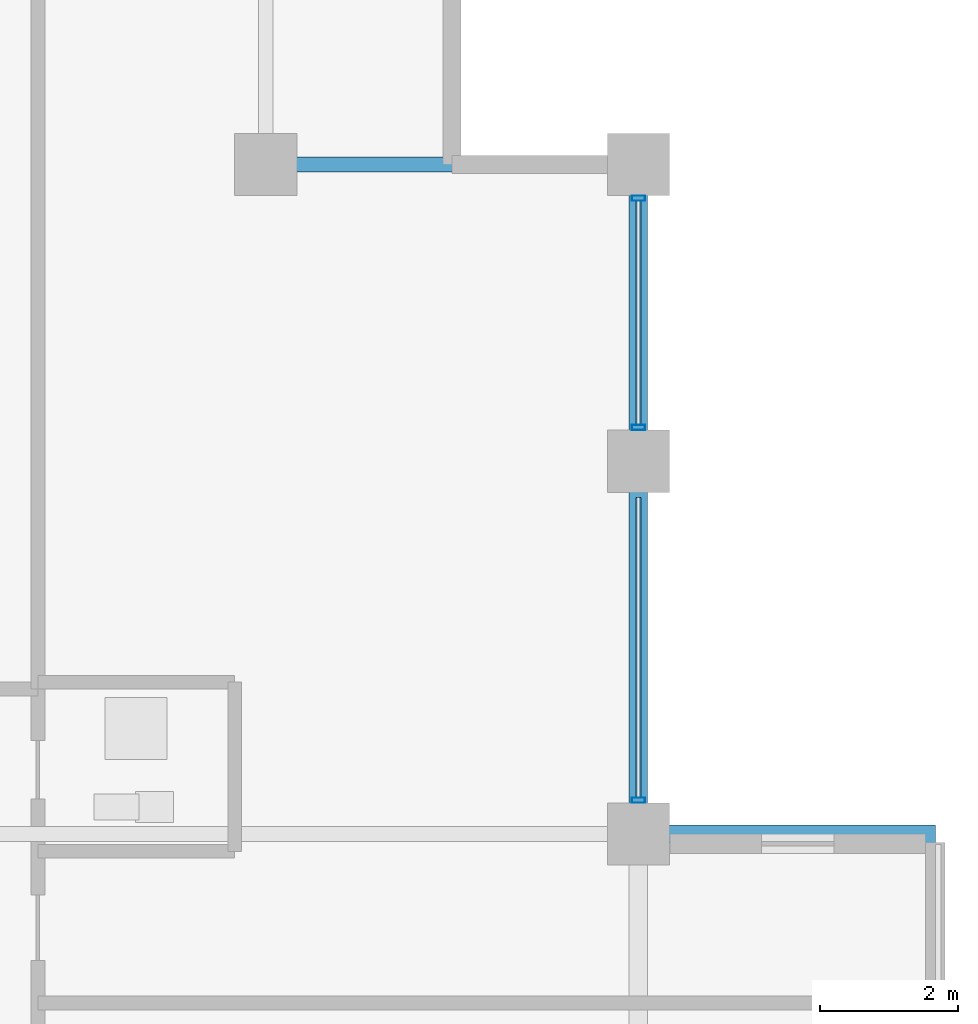
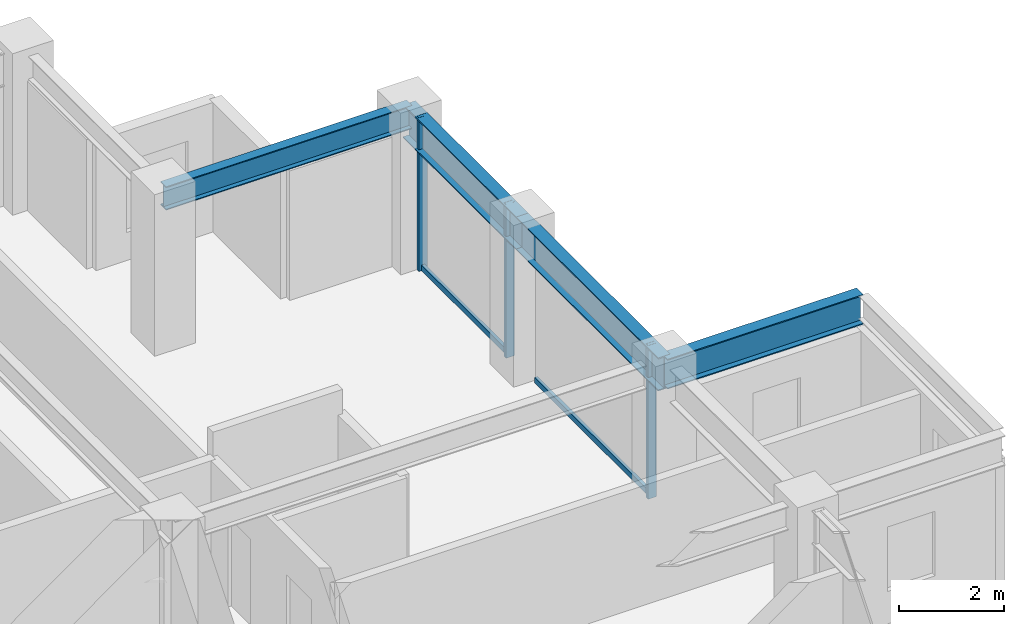
# One storey, part 20 of 28: 5 members, 4 beams, 1 element without a shape of its own.
"""IFC4 building model written with IfcOpenShell, lengths in metres."""

from ifc_helpers import new_model, si_unit, direction, frame, origin, origin_2d, place, context, subcontext, project, spatial, hollow_rectangle, i_section, extrude, material, layer, layer_set, material_profile, profile_set, type_object, element, aggregate, save


model = new_model("IFC4")

# Units and contexts
model_context = context("Model", 3, precision=1e-05, world=origin(), true_north=direction((0.0, 1.0)))
body_context = subcontext(model_context, "Body", "Model", "MODEL_VIEW")
ifc_project = project(units=[si_unit("LENGTHUNIT", "METRE"), si_unit("AREAUNIT", "SQUARE_METRE"), si_unit("VOLUMEUNIT", "CUBIC_METRE"), si_unit("PLANEANGLEUNIT", "RADIAN"), si_unit("MASSUNIT", "GRAM", prefix="KILO")], contexts=[model_context])

# Site, building, storey
site_placement = place(None, origin())
site = spatial("IfcSite", under=ifc_project, at=site_placement, CompositionType="ELEMENT")
building_placement = place(site_placement, origin())
building = spatial("IfcBuilding", under=site, at=building_placement, Name="Surkhivell Harbour Commons", CompositionType="ELEMENT")
storey_placement = place(building_placement, frame((0.0, 0.0, 174.75)))
storey = spatial("IfcBuildingStorey", under=building, at=storey_placement, Name="L45", CompositionType="ELEMENT", Elevation=174.75)

# Beams
ifc_material_1 = material(Name="Steel S460", Category="steel")
ifc_material_profile_1 = material_profile(ifc_material_1, i_section(OverallWidth=0.256103515625, OverallDepth=0.693115234375, WebThickness=0.014404296875, FlangeThickness=0.023681640625, at=origin_2d()), Name="UB686x254x170")
ifc_profile_set_1 = profile_set([ifc_material_profile_1], Name="Steel S460")
beam_type_1 = type_object("IfcBeamType", Name="BM-CNT-686", PredefinedType="BEAM", material=ifc_profile_set_1)
beam_1_placement = place(storey_placement, frame((21.60009765625, 10.800048828125, 3.223388671875), z_axis=(1.0, 0.0, 0.0), x_axis=(0.0, 1.0, 0.0)))
element("IfcBeam", 1, at=beam_1_placement, inside=storey, type_object=beam_type_1, Name="L45 Box Cantilever Outrigger (21.6,10.8)", PredefinedType="BEAM", context=body_context, shape_type="SweptSolid", body=[
    extrude(i_section(OverallWidth=0.256103515625, OverallDepth=0.693115234375, WebThickness=0.014404296875, FlangeThickness=0.023681640625, at=origin_2d()), origin(), (0.0, 0.0, 1.0), 4.2998046875),
])
ifc_material_2 = material(Name="Steel S355", Category="steel")
ifc_material_profile_2 = material_profile(ifc_material_2, i_section(OverallWidth=0.2119140625, OverallDepth=0.5439453125, WebThickness=0.0126953125, FlangeThickness=0.021240234375, at=origin_2d()), Name="UB533x210x122")
ifc_profile_set_2 = profile_set([ifc_material_profile_2], Name="Steel S355")
beam_type_2 = type_object("IfcBeamType", Name="BM-GRD-533A", PredefinedType="BEAM", material=ifc_profile_set_2)
beam_2_placement = place(storey_placement, frame((16.199951171875, 20.5, 3.298095703125), z_axis=(1.0, 0.0, 0.0), x_axis=(0.0, 1.0, 0.0)))
element("IfcBeam", 2, at=beam_2_placement, inside=storey, type_object=beam_type_2, Name="L45 Floor Girder (16.2,20.5)", PredefinedType="BEAM", context=body_context, shape_type="SweptSolid", body=[
    extrude(i_section(OverallWidth=0.2119140625, OverallDepth=0.5439453125, WebThickness=0.0126953125, FlangeThickness=0.021240234375, at=origin_2d()), origin(), (0.0, 0.0, 1.0), 5.400146484375),
])
ifc_material_profile_3 = material_profile(ifc_material_2, i_section(OverallWidth=0.26806640625, OverallDepth=0.77001953125, WebThickness=0.015625, FlangeThickness=0.025390625, at=origin_2d()), Name="UB762x267x197")
ifc_profile_set_3 = profile_set([ifc_material_profile_3], Name="Steel S355")
beam_type_3 = type_object("IfcBeamType", Name="BM-SPN-762", PredefinedType="SPANDREL", material=ifc_profile_set_3)
beam_3_placement = place(storey_placement, frame((21.60009765625, 10.800048828125, 3.18505859375), z_axis=(0.0, 1.0, 0.0), x_axis=(-1.0, 0.0, 0.0)))
element("IfcBeam", 3, at=beam_3_placement, inside=storey, type_object=beam_type_3, Name="L45 Tube Spandrel (21.6,10.8)", PredefinedType="SPANDREL", context=body_context, shape_type="SweptSolid", body=[
    extrude(i_section(OverallWidth=0.26806640625, OverallDepth=0.77001953125, WebThickness=0.015625, FlangeThickness=0.025390625, at=origin_2d()), origin(), (0.0, 0.0, 1.0), 5.39990234375),
])
beam_4_placement = place(storey_placement, frame((21.60009765625, 16.199951171875, 3.18505859375), z_axis=(0.0, 1.0, 0.0), x_axis=(-1.0, 0.0, 0.0)))
element("IfcBeam", 4, at=beam_4_placement, inside=storey, type_object=beam_type_3, Name="L45 Tube Spandrel (21.6,16.2)", PredefinedType="SPANDREL", context=body_context, shape_type="SweptSolid", body=[
    extrude(i_section(OverallWidth=0.26806640625, OverallDepth=0.77001953125, WebThickness=0.015625, FlangeThickness=0.025390625, at=origin_2d()), origin(), (0.0, 0.0, 1.0), 4.300048828125),
])

# Curtain wall, members
ifc_material_3 = material(Name="Anodised pale-metal aluminium and insulated glazing", Category="aluminium")
ifc_layer = layer(ifc_material_3, 0.18994140625)
ifc_layer_set = layer_set([ifc_layer], Name="Anodised pale-metal aluminium and insulated glazing")
curtain_wall_type = type_object("IfcCurtainWallType", Name="CW-SYS-Z3", PredefinedType="NOTDEFINED", material=ifc_layer_set)
curtain_wall_placement = place(storey_placement, origin())
curtain_wall = element("IfcCurtainWall", 5, at=curtain_wall_placement, inside=storey, type_object=curtain_wall_type, Name="L45 Curtain Wall CW-L45-E02R2", PredefinedType="NOTDEFINED")
ifc_material_4 = material(Name="Anodised pale-metal aluminium alloy 6063-T6", Category="aluminium")
ifc_material_profile_4 = material_profile(ifc_material_4, hollow_rectangle(XDim=0.074951171875, YDim=0.18994140625, WallThickness=0.00390625, at=origin_2d()), Name="ALU-MULL-75x190")
ifc_profile_set_4 = profile_set([ifc_material_profile_4], Name="Anodised pale-metal aluminium alloy 6063-T6")
member_type_1 = type_object("IfcMemberType", Name="CWM-190", PredefinedType="MULLION", material=ifc_profile_set_4)
member_1_placement = place(storey_placement, frame((21.60009765625, 11.28955078125, 0.0), z_axis=(0.0, 0.0, 1.0), x_axis=(0.0, 1.0, 0.0)))
member_1 = element("IfcMember", 6, at=member_1_placement, type_object=member_type_1, Name="CW-Z3 mullion 1", PredefinedType="MULLION", context=body_context, shape_type="SweptSolid", body=[
    extrude(hollow_rectangle(XDim=0.074951171875, YDim=0.18994140625, WallThickness=0.00390625, at=origin_2d()), origin(), (0.0, 0.0, 1.0), 3.570068359375),
])
member_2_placement = place(storey_placement, frame((21.60009765625, 16.689453125, 0.0), z_axis=(0.0, 0.0, 1.0), x_axis=(0.0, 1.0, 0.0)))
member_2 = element("IfcMember", 7, at=member_2_placement, type_object=member_type_1, Name="CW-Z3 mullion 2", PredefinedType="MULLION", context=body_context, shape_type="SweptSolid", body=[
    extrude(hollow_rectangle(XDim=0.074951171875, YDim=0.18994140625, WallThickness=0.00390625, at=origin_2d()), origin(), (0.0, 0.0, 1.0), 3.570068359375),
])
member_3_placement = place(storey_placement, frame((21.60009765625, 20.010498046875, 0.0), z_axis=(0.0, 0.0, 1.0), x_axis=(0.0, 1.0, 0.0)))
member_3 = element("IfcMember", 8, at=member_3_placement, type_object=member_type_1, Name="CW-Z3 mullion 3", PredefinedType="MULLION", context=body_context, shape_type="SweptSolid", body=[
    extrude(hollow_rectangle(XDim=0.074951171875, YDim=0.18994140625, WallThickness=0.00390625, at=origin_2d()), origin(), (0.0, 0.0, 1.0), 3.570068359375),
])
ifc_material_5 = material(Name="Champagne anodised aluminium alloy 6063-T6", Category="aluminium")
ifc_material_profile_5 = material_profile(ifc_material_5, hollow_rectangle(XDim=0.070068359375, YDim=0.1298828125, WallThickness=0.00341796875, at=origin_2d()), Name="ALU-TRAN-70x130")
ifc_profile_set_5 = profile_set([ifc_material_profile_5], Name="Champagne anodised aluminium alloy 6063-T6")
member_type_2 = type_object("IfcMemberType", Name="CWT-130", PredefinedType="USERDEFINED", material=ifc_profile_set_5)
member_4_placement = place(storey_placement, frame((21.60009765625, 11.326904296875, 0.06494140625), z_axis=(0.0, 1.0, 0.0), x_axis=(-1.0, 0.0, 0.0)))
member_4 = element("IfcMember", 9, at=member_4_placement, type_object=member_type_2, Name="CW-Z3 transom 1.1", ObjectType="TRANSOM", PredefinedType="USERDEFINED", context=body_context, shape_type="SweptSolid", body=[
    extrude(hollow_rectangle(XDim=0.070068359375, YDim=0.1298828125, WallThickness=0.00341796875, at=origin_2d()), origin(), (0.0, 0.0, 1.0), 4.34619140625),
])
member_5_placement = place(storey_placement, frame((21.60009765625, 16.72705078125, 0.06494140625), z_axis=(0.0, 1.0, 0.0), x_axis=(-1.0, 0.0, 0.0)))
member_5 = element("IfcMember", 10, at=member_5_placement, type_object=member_type_2, Name="CW-Z3 transom 2.1", ObjectType="TRANSOM", PredefinedType="USERDEFINED", context=body_context, shape_type="SweptSolid", body=[
    extrude(hollow_rectangle(XDim=0.070068359375, YDim=0.1298828125, WallThickness=0.00341796875, at=origin_2d()), origin(), (0.0, 0.0, 1.0), 3.245849609375),
])
aggregate(curtain_wall, [member_1, member_4, member_2, member_3, member_5])

save(model, "model.ifc")
